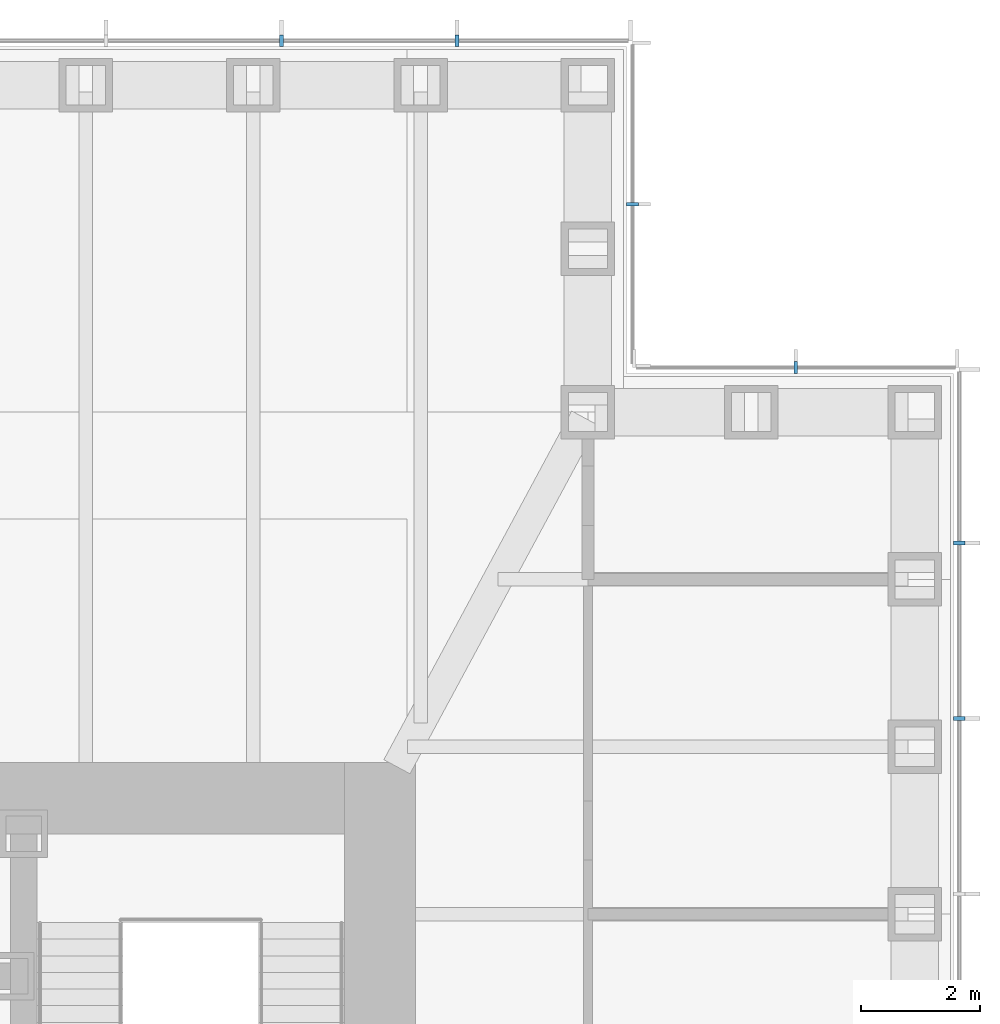
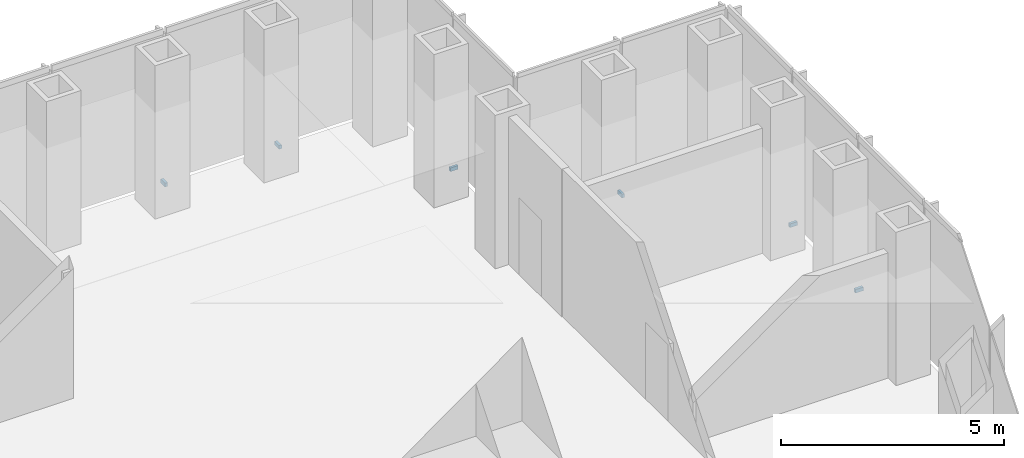
# One storey, part 15 of 16: 6 discrete accessories.
"""IFC4 building model written with IfcOpenShell, lengths in metres."""

from ifc_helpers import new_model, si_unit, direction, frame, origin, origin_2d, place, context, subcontext, project, spatial, rectangle, extrude, element, save


model = new_model("IFC4")

# Units and contexts
model_context = context("Model", 3, precision=1e-05, world=origin(), true_north=direction((0.0, 1.0)))
body_context = subcontext(model_context, "Body", "Model", "MODEL_VIEW")
ifc_project = project(units=[si_unit("LENGTHUNIT", "METRE"), si_unit("AREAUNIT", "SQUARE_METRE"), si_unit("VOLUMEUNIT", "CUBIC_METRE"), si_unit("PLANEANGLEUNIT", "RADIAN"), si_unit("MASSUNIT", "GRAM", prefix="KILO")], contexts=[model_context])

# Site, building, storey
site_placement = place(None, origin())
site = spatial("IfcSite", under=ifc_project, at=site_placement, CompositionType="ELEMENT")
building_placement = place(site_placement, origin())
building = spatial("IfcBuilding", under=site, at=building_placement, Name="Daluyong Arena Tower", CompositionType="ELEMENT")
storey_placement = place(building_placement, frame((0.0, 0.0, 198.10009765625)))
storey = spatial("IfcBuildingStorey", under=building, at=storey_placement, Name="L44", CompositionType="ELEMENT", Elevation=198.10009765625)

# Discrete accessories
for number, where, z_axis, x_axis, name in (
    (1, (77.75, 90.3408203125, -0.10009765625), (0.0, 0.0, 1.0), (0.0, 1.0, 0.0), "curtain wall L44 E anchor bracket 10"),
    (2, (77.75, 93.29541015625, -0.10009765625), (0.0, 0.0, 1.0), (0.0, 1.0, 0.0), "curtain wall L44 E anchor bracket 11"),
):
    element("IfcDiscreteAccessory", number, at=place(storey_placement, frame(where, z_axis=z_axis, x_axis=x_axis)), inside=storey, Name=name, PredefinedType="BRACKET", context=body_context, shape_type="SweptSolid", body=[
        extrude(rectangle(XDim=0.070068359375, YDim=0.199951171875, at=origin_2d()), origin(), (0.0, 0.0, 1.0), 0.10009765625),
    ])
for number, where, z_axis, x_axis, name in (
    (3, (75.0, 96.25, -0.10009765625), (0.0, 0.0, 1.0), (-1.0, 0.0, 0.0), "curtain wall L44 NE-N anchor bracket 2"),
    (4, (72.25, 99.0, -0.10009765625), (0.0, 0.0, 1.0), (0.0, 1.0, 0.0), "curtain wall L44 NE-E anchor bracket 2"),
):
    element("IfcDiscreteAccessory", number, at=place(storey_placement, frame(where, z_axis=z_axis, x_axis=x_axis)), inside=storey, Name=name, PredefinedType="BRACKET", context=body_context, shape_type="SweptSolid", body=[
        extrude(rectangle(XDim=0.06005859375, YDim=0.199951171875, at=origin_2d()), origin(), (0.0, 0.0, 1.0), 0.10009765625),
    ])
for number, where, z_axis, x_axis, name in (
    (5, (69.29541015625, 101.75, -0.10009765625), (0.0, 0.0, 1.0), (-1.0, 0.0, 0.0), "curtain wall L44 N anchor bracket 2"),
    (6, (66.3408203125, 101.75, -0.10009765625), (0.0, 0.0, 1.0), (-1.0, 0.0, 0.0), "curtain wall L44 N anchor bracket 3"),
):
    element("IfcDiscreteAccessory", number, at=place(storey_placement, frame(where, z_axis=z_axis, x_axis=x_axis)), inside=storey, Name=name, PredefinedType="BRACKET", context=body_context, shape_type="SweptSolid", body=[
        extrude(rectangle(XDim=0.070068359375, YDim=0.199951171875, at=origin_2d()), origin(), (0.0, 0.0, 1.0), 0.10009765625),
    ])

save(model, "model.ifc")
